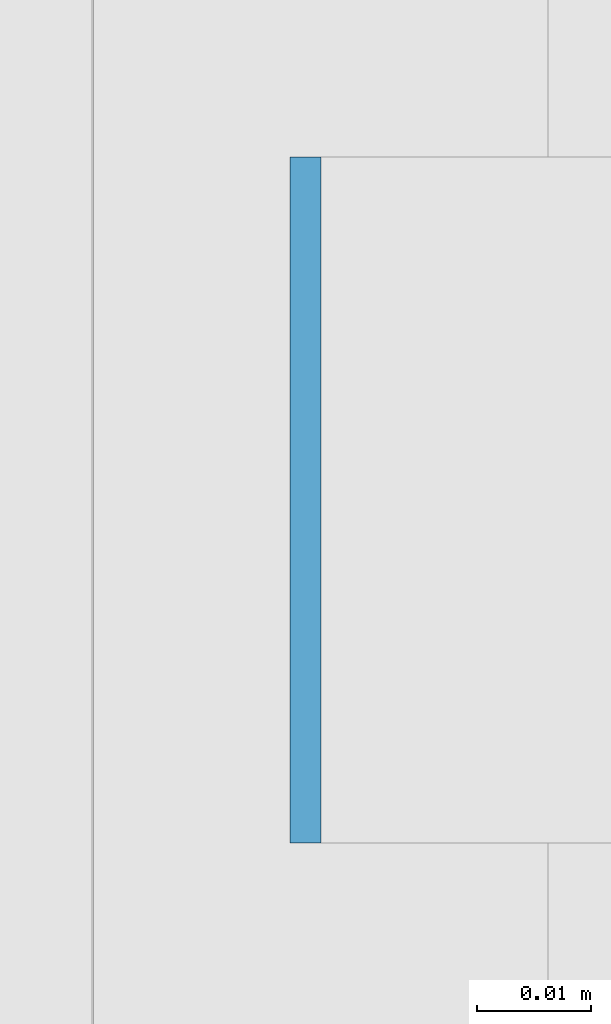
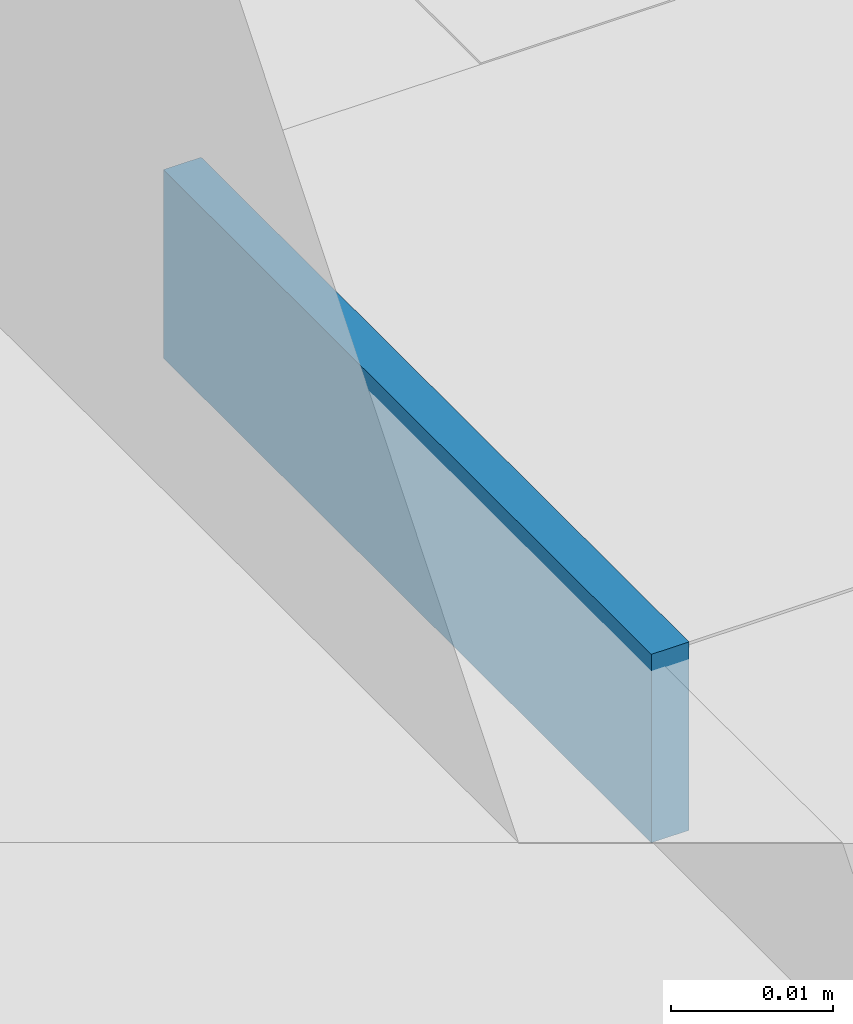
# One storey, part 531 of 646: 1 discrete accessory.
"""IFC4 building model written with IfcOpenShell, lengths in metres."""

from ifc_helpers import new_model, si_unit, direction, frame, origin, origin_2d, place, context, subcontext, project, spatial, rectangle, extrude, material, type_object, element, save


model = new_model("IFC4")

# Units and contexts
model_context = context("Model", 3, precision=1e-05, world=origin(), true_north=direction((0.0, 1.0)))
body_context = subcontext(model_context, "Body", "Model", "MODEL_VIEW")
ifc_project = project(units=[si_unit("LENGTHUNIT", "METRE"), si_unit("AREAUNIT", "SQUARE_METRE"), si_unit("VOLUMEUNIT", "CUBIC_METRE"), si_unit("PLANEANGLEUNIT", "RADIAN"), si_unit("MASSUNIT", "GRAM", prefix="KILO")], contexts=[model_context])

# Site, building, storey
site_placement = place(None, origin())
site = spatial("IfcSite", under=ifc_project, at=site_placement, CompositionType="ELEMENT")
building_placement = place(site_placement, origin())
building = spatial("IfcBuilding", under=site, at=building_placement, Name="Silverbay Arena", CompositionType="ELEMENT")
storey_placement = place(building_placement, frame((0.0, 0.0, 33.5)))
storey = spatial("IfcBuildingStorey", under=building, at=storey_placement, Name="L05", CompositionType="ELEMENT", Elevation=33.5)

# Discrete accessory
ifc_material = material(Name="Steel S355", Category="steel")
discrete_accessory_type = type_object("IfcDiscreteAccessoryType", Name="Steel bracket plate", PredefinedType="BRACKET", material=ifc_material)
discrete_accessory_placement = place(storey_placement, frame((207.128662109375, 84.857177734375, 12.98583984375), z_axis=(0.0, 0.0, 1.0), x_axis=(1.0, 0.0, 0.0)))
element("IfcDiscreteAccessory", 1, at=discrete_accessory_placement, inside=storey, type_object=discrete_accessory_type, Name="Curtain wall packing plate", PredefinedType="BRACKET", context=body_context, shape_type="SweptSolid", body=[
    extrude(rectangle(XDim=0.002685546875, YDim=0.06005859375, at=origin_2d()), origin(), (0.0, 0.0, 1.0), 0.01416015625),
])

save(model, "model.ifc")
